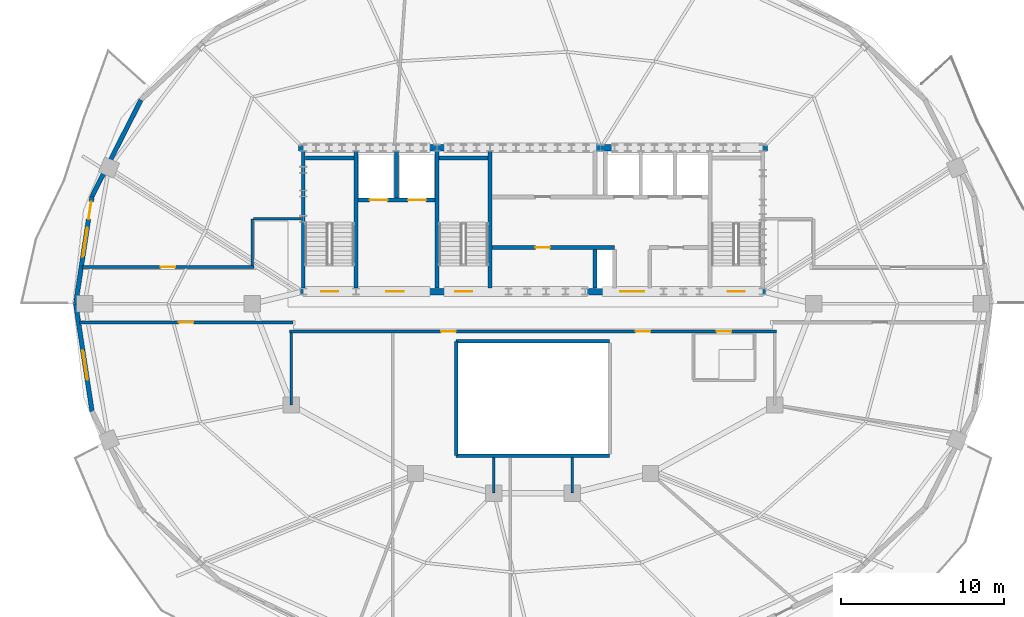
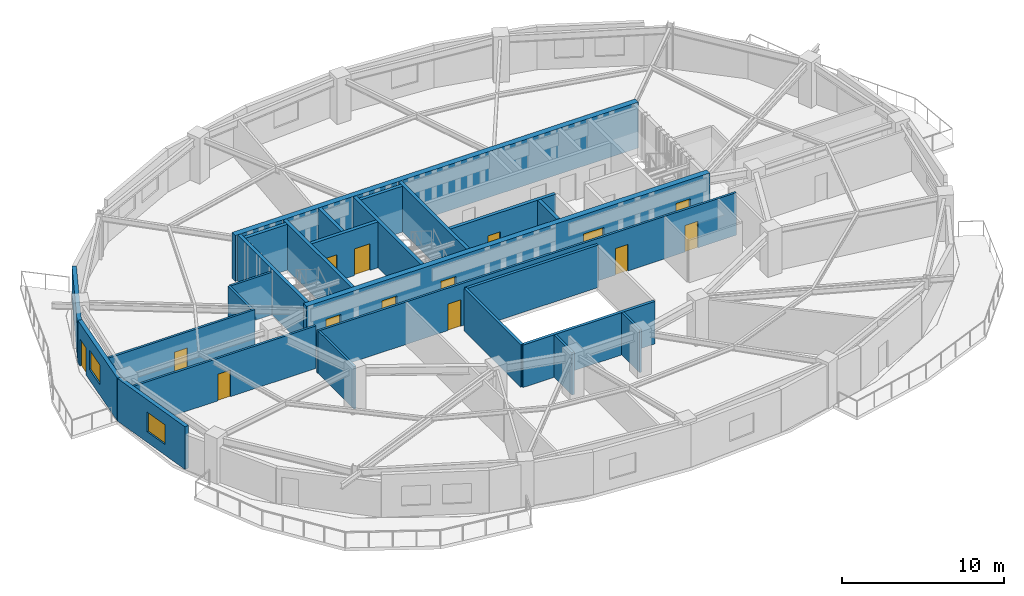
# One storey, part 4 of 11: 26 walls, 14 doors, 2 windows, 16 openings.
"""IFC4 building model written with IfcOpenShell, lengths in metres."""

from ifc_helpers import new_model, si_unit, direction, frame, frame_2d, origin, place, context, subcontext, project, spatial, rectangle, extrude, material, layer, layer_set, type_object, element, fill, save


model = new_model("IFC4")

# Units and contexts
model_context = context("Model", 3, precision=1e-05, world=origin(), true_north=direction((0.0, 1.0)))
body_context = subcontext(model_context, "Body", "Model", "MODEL_VIEW")
ifc_project = project(units=[si_unit("LENGTHUNIT", "METRE"), si_unit("AREAUNIT", "SQUARE_METRE"), si_unit("VOLUMEUNIT", "CUBIC_METRE"), si_unit("PLANEANGLEUNIT", "RADIAN"), si_unit("MASSUNIT", "GRAM", prefix="KILO")], contexts=[model_context])

# Site, building, storey
site_placement = place(None, origin())
site = spatial("IfcSite", under=ifc_project, at=site_placement, CompositionType="ELEMENT")
building_placement = place(site_placement, origin())
building = spatial("IfcBuilding", under=site, at=building_placement, Name="Haldorwick Loom Tower", CompositionType="ELEMENT")
storey_placement = place(building_placement, frame((0.0, 0.0, 227.10009765625)))
storey = spatial("IfcBuildingStorey", under=building, at=storey_placement, Name="L61", CompositionType="ELEMENT", Elevation=227.10009765625)

# Wall
ifc_material_1 = material(Name="Pressed Clay Face Brick and Insulated Masonry Backup Assembly", Category="masonry")
ifc_layer_1 = layer(ifc_material_1, 0.280029296875, Name="Pressed Clay Face Brick and Insulated Masonry Backup Assembly", Category="masonry")
ifc_layer_set_1 = layer_set([ifc_layer_1], Name="Pressed Clay Face Brick and Insulated Masonry Backup Assembly")
wall_type_1 = type_object("IfcWallType", Name="ARC-WL-EXT280", PredefinedType="STANDARD", material=ifc_layer_set_1)
wall_1_placement = place(storey_placement, frame((11.994384765625, 38.4853515625, 0.0), z_axis=(0.0, 0.0, 1.0), x_axis=(-0.453032066879, -0.89149422117, 0.0)))
element("IfcWall", 1, at=wall_1_placement, inside=storey, type_object=wall_type_1, Name="L61 Brick Pier and Spandrel Wall 11", PredefinedType="STANDARD", context=body_context, shape_type="SweptSolid", body=[
    extrude(rectangle(XDim=6.618896484375, YDim=0.280029296875, at=frame_2d((3.3095703125, 0.0))), origin(), (0.0, 0.0, 1.0), 2.640869140625),
])

# Wall, openings, door, window
wall_2_placement = place(storey_placement, frame((8.995849609375, 32.584716796875, 0.0), z_axis=(0.0, 0.0, 1.0), x_axis=(-0.150467697578, -0.988614926038, 0.0)))
wall_2 = element("IfcWall", 2, at=wall_2_placement, inside=storey, type_object=wall_type_1, Name="L61 Brick Pier and Spandrel Wall 12", PredefinedType="STANDARD", context=body_context, shape_type="SweptSolid", body=[
    extrude(rectangle(XDim=6.66064453125, YDim=0.280029296875, at=frame_2d((3.330322265625, 0.0))), origin(), (0.0, 0.0, 1.0), 3.2099609375),
])
opening_1_placement = place(wall_2_placement, frame((0.340087890625, 0.0, 0.0)))
opening_1 = element("IfcOpeningElement", 3, at=opening_1_placement, cuts=wall_2, Name="Opening D-BL11", PredefinedType="OPENING", context=body_context, shape_type="SweptSolid", body=[
    extrude(rectangle(XDim=1.080078125, YDim=2.0400390625, at=frame_2d((0.5400390625, 1.02001953125))), frame((0.0, 0.14990234375, 0.0), z_axis=(0.0, -1.0, 0.0), x_axis=(1.0, 0.0, 0.0)), (0.0, 0.0, 1.0), 0.300048828125),
])
opening_2_placement = place(wall_2_placement, frame((1.952392578125, 0.0, 0.800048828125)))
opening_2 = element("IfcOpeningElement", 4, at=opening_2_placement, cuts=wall_2, Name="Opening W-01", PredefinedType="OPENING", context=body_context, shape_type="SweptSolid", body=[
    extrude(rectangle(XDim=1.800048828125, YDim=1.47998046875, at=frame_2d((0.89990234375, 0.739990234375))), frame((0.0, 0.14990234375, 0.0), z_axis=(0.0, -1.0, 0.0), x_axis=(1.0, 0.0, 0.0)), (0.0, 0.0, 1.0), 0.300048828125),
])
ifc_material_2 = material(Name="Thermally Broken Anodized Aluminium Curtain Wall Framing", Category="aluminium")
door_type_1 = type_object("IfcDoorType", Name="ARC-DR-BAL110", OperationType="NOTDEFINED", PredefinedType="DOOR", material=ifc_material_2)
door_1_placement = place(opening_1_placement, origin())
door_1 = element("IfcDoor", 5, at=door_1_placement, inside=storey, type_object=door_type_1, Name="L61 Outdoor Terrace Door SLB-L61-BAL_WNW", OperationType="SINGLE_SWING_RIGHT", OverallHeight=2.0400390625, OverallWidth=1.080078125, PredefinedType="DOOR", context=body_context, shape_type="SweptSolid", body=[
    extrude(rectangle(XDim=1.080078125, YDim=2.0400390625, at=frame_2d((0.5400390625, 1.02001953125))), frame((0.0, 0.02490234375, 0.0), z_axis=(0.0, -1.0, 0.0), x_axis=(1.0, 0.0, 0.0)), (0.0, 0.0, 1.0), 0.050048828125),
])
fill(opening_1, door_1)
ifc_material_3 = material(Name="Triple-Glazed Low-E Argon Insulated Glazing Unit", Category="glass")
window_type = type_object("IfcWindowType", Name="ARC-WIN-W180", PartitioningType="SINGLE_PANEL", PredefinedType="WINDOW", material=ifc_material_3)
window_1_placement = place(opening_2_placement, origin())
window_1 = element("IfcWindow", 6, at=window_1_placement, inside=storey, type_object=window_type, Name="L61 Deep-Set Zone 7A Window 12", OverallHeight=1.47998046875, OverallWidth=1.800048828125, PartitioningType="SINGLE_PANEL", PredefinedType="WINDOW", context=body_context, shape_type="SweptSolid", body=[
    extrude(rectangle(XDim=1.800048828125, YDim=1.47998046875, at=frame_2d((0.89990234375, 0.739990234375))), frame((0.0, 0.030029296875, 0.0), z_axis=(0.0, -1.0, 0.0), x_axis=(1.0, 0.0, 0.0)), (0.0, 0.0, 1.0), 0.06005859375),
])
fill(opening_2, window_1)

# Wall, opening, window
wall_3_placement = place(storey_placement, frame((7.99365234375, 26.0, 0.0), z_axis=(0.0, 0.0, 1.0), x_axis=(0.150467697578, -0.988614926038, 0.0)))
wall_3 = element("IfcWall", 7, at=wall_3_placement, inside=storey, type_object=wall_type_1, Name="L61 Brick Pier and Spandrel Wall 13", PredefinedType="STANDARD", context=body_context, shape_type="SweptSolid", body=[
    extrude(rectangle(XDim=6.66064453125, YDim=0.280029296875, at=frame_2d((3.330322265625, 0.0))), origin(), (0.0, 0.0, 1.0), 3.2099609375),
])
opening_3_placement = place(wall_3_placement, frame((2.907958984375, 0.0, 0.800048828125)))
opening_3 = element("IfcOpeningElement", 8, at=opening_3_placement, cuts=wall_3, Name="Opening W-01", PredefinedType="OPENING", context=body_context, shape_type="SweptSolid", body=[
    extrude(rectangle(XDim=1.800048828125, YDim=1.47998046875, at=frame_2d((0.89990234375, 0.739990234375))), frame((0.0, 0.14990234375, 0.0), z_axis=(0.0, -1.0, 0.0), x_axis=(1.0, 0.0, 0.0)), (0.0, 0.0, 1.0), 0.300048828125),
])
window_2_placement = place(opening_3_placement, origin())
window_2 = element("IfcWindow", 9, at=window_2_placement, inside=storey, type_object=window_type, Name="L61 Deep-Set Zone 7A Window 13", OverallHeight=1.47998046875, OverallWidth=1.800048828125, PartitioningType="SINGLE_PANEL", PredefinedType="WINDOW", context=body_context, shape_type="SweptSolid", body=[
    extrude(rectangle(XDim=1.800048828125, YDim=1.47998046875, at=frame_2d((0.89990234375, 0.739990234375))), frame((0.0, 0.030029296875, 0.0), z_axis=(0.0, -1.0, 0.0), x_axis=(1.0, 0.0, 0.0)), (0.0, 0.0, 1.0), 0.06005859375),
])
fill(opening_3, window_2)

# Wall, openings, doors
ifc_material_4 = material(Name="Fire-Rated Type X Gypsum Stud Assembly EI 60")
ifc_layer_2 = layer(ifc_material_4, 0.159912109375, Name="Fire-Rated Type X Gypsum Stud Assembly EI 60")
ifc_layer_set_2 = layer_set([ifc_layer_2], Name="Fire-Rated Type X Gypsum Stud Assembly EI 60")
wall_type_2 = type_object("IfcWallType", Name="ARC-WL-FIRE160", PredefinedType="PARTITIONING", material=ifc_layer_set_2)
wall_4_placement = place(storey_placement, frame((21.10009765625, 24.300048828125, 0.0), z_axis=(0.0, 0.0, 1.0), x_axis=(1.0, 0.0, 0.0)))
wall_4 = element("IfcWall", 10, at=wall_4_placement, inside=storey, type_object=wall_type_2, Name="L61 Residential Fire Partition L61-CR-SP", PredefinedType="PARTITIONING", context=body_context, shape_type="SweptSolid", body=[
    extrude(rectangle(XDim=29.7998046875, YDim=0.159912109375, at=frame_2d((14.89990234375, 0.0))), origin(), (0.0, 0.0, 1.0), 3.19482421875),
])
opening_4_placement = place(wall_4_placement, frame((21.1826171875, 0.0, 0.0)))
opening_4 = element("IfcOpeningElement", 11, at=opening_4_placement, cuts=wall_4, Name="Opening D-FD60A", PredefinedType="OPENING", context=body_context, shape_type="SweptSolid", body=[
    extrude(rectangle(XDim=0.89990234375, YDim=2.0, at=frame_2d((0.449951171875, 1.0))), frame((0.0, 0.08984375, 0.0), z_axis=(0.0, -1.0, 0.0), x_axis=(1.0, 0.0, 0.0)), (0.0, 0.0, 1.0), 0.179931640625),
])
opening_5_placement = place(wall_4_placement, frame((9.272705078125, 0.0, 0.0)))
opening_5 = element("IfcOpeningElement", 12, at=opening_5_placement, cuts=wall_4, Name="Opening D-FD60A", PredefinedType="OPENING", context=body_context, shape_type="SweptSolid", body=[
    extrude(rectangle(XDim=0.89990234375, YDim=2.0, at=frame_2d((0.449951171875, 1.0))), frame((0.0, 0.08984375, 0.0), z_axis=(0.0, -1.0, 0.0), x_axis=(1.0, 0.0, 0.0)), (0.0, 0.0, 1.0), 0.179931640625),
])
opening_6_placement = place(wall_4_placement, frame((26.1494140625, 0.0, 0.0)))
opening_6 = element("IfcOpeningElement", 13, at=opening_6_placement, cuts=wall_4, Name="Opening D-FD60A", PredefinedType="OPENING", context=body_context, shape_type="SweptSolid", body=[
    extrude(rectangle(XDim=0.89990234375, YDim=2.0, at=frame_2d((0.449951171875, 1.0))), frame((0.0, 0.08984375, 0.0), z_axis=(0.0, -1.0, 0.0), x_axis=(1.0, 0.0, 0.0)), (0.0, 0.0, 1.0), 0.179931640625),
])
ifc_material_5 = material(Name="Hollow Steel Fire Door Assembly", Category="steel")
door_type_2 = type_object("IfcDoorType", Name="ARC-DR-FD60-90", OperationType="NOTDEFINED", PredefinedType="DOOR", material=ifc_material_5)
door_2_placement = place(opening_4_placement, origin())
door_2 = element("IfcDoor", 14, at=door_2_placement, inside=storey, type_object=door_type_2, Name="L61 L61 Central Residential Corridor to Community Library Hall 2 Door", OperationType="SINGLE_SWING_RIGHT", OverallHeight=2.0, OverallWidth=0.89990234375, PredefinedType="DOOR", context=body_context, shape_type="SweptSolid", body=[
    extrude(rectangle(XDim=0.89990234375, YDim=2.0, at=frame_2d((0.449951171875, 1.0))), frame((0.0, 0.02490234375, 0.0), z_axis=(0.0, -1.0, 0.0), x_axis=(1.0, 0.0, 0.0)), (0.0, 0.0, 1.0), 0.050048828125),
])
fill(opening_4, door_2)
door_3_placement = place(opening_5_placement, origin())
door_3 = element("IfcDoor", 15, at=door_3_placement, inside=storey, type_object=door_type_2, Name="L61 L61 Central Residential Corridor to Community Library Hall 1 Door", OperationType="SINGLE_SWING_LEFT", OverallHeight=2.0, OverallWidth=0.89990234375, PredefinedType="DOOR", context=body_context, shape_type="SweptSolid", body=[
    extrude(rectangle(XDim=0.89990234375, YDim=2.0, at=frame_2d((0.449951171875, 1.0))), frame((0.0, 0.02490234375, 0.0), z_axis=(0.0, -1.0, 0.0), x_axis=(1.0, 0.0, 0.0)), (0.0, 0.0, 1.0), 0.050048828125),
])
fill(opening_5, door_3)
door_4_placement = place(opening_6_placement, origin())
door_4 = element("IfcDoor", 16, at=door_4_placement, inside=storey, type_object=door_type_2, Name="L61 L61 Central Residential Corridor to Common Accessible WC Door", OperationType="SINGLE_SWING_RIGHT", OverallHeight=2.0, OverallWidth=0.89990234375, PredefinedType="DOOR", context=body_context, shape_type="SweptSolid", body=[
    extrude(rectangle(XDim=0.89990234375, YDim=2.0, at=frame_2d((0.449951171875, 1.0))), frame((0.0, 0.02490234375, 0.0), z_axis=(0.0, -1.0, 0.0), x_axis=(1.0, 0.0, 0.0)), (0.0, 0.0, 1.0), 0.050048828125),
])
fill(opening_6, door_4)

# Wall, opening, door
wall_5_placement = place(storey_placement, frame((8.214111328125, 24.85009765625, 0.0), z_axis=(0.0, 0.0, 1.0), x_axis=(1.0, 0.0, 0.0)))
wall_5 = element("IfcWall", 17, at=wall_5_placement, inside=storey, type_object=wall_type_2, Name="L61 Residential Fire Partition L61-CR-SPW", PredefinedType="PARTITIONING", context=body_context, shape_type="SweptSolid", body=[
    extrude(rectangle(XDim=13.0859375, YDim=0.159912109375, at=frame_2d((6.54296875, 0.0))), origin(), (0.0, 0.0, 1.0), 3.19482421875),
])
opening_7_placement = place(wall_5_placement, frame((6.093017578125, 0.0, 0.0)))
opening_7 = element("IfcOpeningElement", 18, at=opening_7_placement, cuts=wall_5, Name="Opening D-FD60A", PredefinedType="OPENING", context=body_context, shape_type="SweptSolid", body=[
    extrude(rectangle(XDim=0.89990234375, YDim=2.0, at=frame_2d((0.449951171875, 1.0))), frame((0.0, 0.08984375, 0.0), z_axis=(0.0, -1.0, 0.0), x_axis=(1.0, 0.0, 0.0)), (0.0, 0.0, 1.0), 0.179931640625),
])
door_5_placement = place(opening_7_placement, origin())
door_5 = element("IfcDoor", 19, at=door_5_placement, inside=storey, type_object=door_type_2, Name="L61 L61 Central Residential Corridor to Community Library Hall 3 Door", OperationType="SINGLE_SWING_LEFT", OverallHeight=2.0, OverallWidth=0.89990234375, PredefinedType="DOOR", context=body_context, shape_type="SweptSolid", body=[
    extrude(rectangle(XDim=0.89990234375, YDim=2.0, at=frame_2d((0.449951171875, 1.0))), frame((0.0, 0.02490234375, 0.0), z_axis=(0.0, -1.0, 0.0), x_axis=(1.0, 0.0, 0.0)), (0.0, 0.0, 1.0), 0.050048828125),
])
fill(opening_7, door_5)

wall_6_placement = place(storey_placement, frame((8.381591796875, 28.25, 0.0), z_axis=(0.0, 0.0, 1.0), x_axis=(1.0, 0.0, 0.0)))
wall_6 = element("IfcWall", 20, at=wall_6_placement, inside=storey, type_object=wall_type_2, Name="L61 Residential Fire Partition L61-CR-NWL", PredefinedType="PARTITIONING", context=body_context, shape_type="SweptSolid", body=[
    extrude(rectangle(XDim=10.518310546875, YDim=0.159912109375, at=frame_2d((5.25927734375, 0.0))), origin(), (0.0, 0.0, 1.0), 3.19482421875),
])
opening_8_placement = place(wall_6_placement, frame((4.80908203125, 0.0, 0.0)))
opening_8 = element("IfcOpeningElement", 21, at=opening_8_placement, cuts=wall_6, Name="Opening D-FD60A", PredefinedType="OPENING", context=body_context, shape_type="SweptSolid", body=[
    extrude(rectangle(XDim=0.89990234375, YDim=2.0, at=frame_2d((0.449951171875, 1.0))), frame((0.0, 0.08984375, 0.0), z_axis=(0.0, -1.0, 0.0), x_axis=(1.0, 0.0, 0.0)), (0.0, 0.0, 1.0), 0.179931640625),
])
door_6_placement = place(opening_8_placement, frame((0.89990234375, 0.0, 0.0), z_axis=(0.0, 0.0, 1.0), x_axis=(-1.0, 0.0, 0.0)))
door_6 = element("IfcDoor", 22, at=door_6_placement, inside=storey, type_object=door_type_2, Name="L61 Community Library Hall 5 to L61 Central Residential Corridor Door", OperationType="SINGLE_SWING_RIGHT", OverallHeight=2.0, OverallWidth=0.89990234375, PredefinedType="DOOR", context=body_context, shape_type="SweptSolid", body=[
    extrude(rectangle(XDim=0.89990234375, YDim=2.0, at=frame_2d((0.449951171875, 1.0))), frame((0.0, 0.02490234375, 0.0), z_axis=(0.0, -1.0, 0.0), x_axis=(1.0, 0.0, 0.0)), (0.0, 0.0, 1.0), 0.050048828125),
])
fill(opening_8, door_6)

# Walls
wall_7_placement = place(storey_placement, frame((18.800048828125, 28.3330078125, 0.0), z_axis=(0.0, 0.0, 1.0), x_axis=(0.0, 1.0, 0.0)))
element("IfcWall", 23, at=wall_7_placement, inside=storey, type_object=wall_type_2, Name="L61 Residential Fire Partition L61-CR-W0", PredefinedType="PARTITIONING", context=body_context, shape_type="SweptSolid", body=[
    extrude(rectangle(XDim=2.866943359375, YDim=0.159912109375, at=frame_2d((1.43359375, 0.0))), origin(), (0.0, 0.0, 1.0), 3.19482421875),
])
wall_8_placement = place(storey_placement, frame((18.883056640625, 31.199951171875, 0.0), z_axis=(0.0, 0.0, 1.0), x_axis=(1.0, 0.0, 0.0)))
element("IfcWall", 24, at=wall_8_placement, inside=storey, type_object=wall_type_2, Name="L61 Residential Fire Partition L61-CR-WNJ", PredefinedType="PARTITIONING", context=body_context, shape_type="SweptSolid", body=[
    extrude(rectangle(XDim=2.923828125, YDim=0.159912109375, at=frame_2d((1.4619140625, 0.0))), origin(), (0.0, 0.0, 1.0), 3.19482421875),
])
for number, where, z_axis, x_axis, name in (
    (25, (38.39990234375, 16.596923828125, 0.0), (0.0, 0.0, 1.0), (0.0, -1.0, 0.0), "L61 Residential Fire Partition L61-ICA-05"),
    (26, (33.60009765625, 16.596923828125, 0.0), (0.0, 0.0, 1.0), (0.0, -1.0, 0.0), "L61 Residential Fire Partition L61-ICA-06"),
):
    element("IfcWall", number, at=place(storey_placement, frame(where, z_axis=z_axis, x_axis=x_axis)), inside=storey, type_object=wall_type_2, Name=name, PredefinedType="PARTITIONING", context=body_context, shape_type="SweptSolid", body=[
        extrude(rectangle(XDim=2.197021484375, YDim=0.159912109375, at=frame_2d((1.0986328125, 0.0))), origin(), (0.0, 0.0, 1.0), 3.19482421875),
    ])
wall_9_placement = place(storey_placement, frame((21.199951171875, 24.217041015625, 0.0), z_axis=(0.0, 0.0, 1.0), x_axis=(0.0, -1.0, 0.0)))
element("IfcWall", 27, at=wall_9_placement, inside=storey, type_object=wall_type_2, Name="L61 Residential Fire Partition L61-ICA-09", PredefinedType="PARTITIONING", context=body_context, shape_type="SweptSolid", body=[
    extrude(rectangle(XDim=4.4169921875, YDim=0.159912109375, at=frame_2d((2.20849609375, 0.0))), origin(), (0.0, 0.0, 1.0), 3.19482421875),
])
ifc_material_6 = material(Name="Fire-Rated Type X Gypsum Stud Assembly EI 120")
ifc_layer_3 = layer(ifc_material_6, 0.199951171875, Name="Fire-Rated Type X Gypsum Stud Assembly EI 120")
ifc_layer_set_3 = layer_set([ifc_layer_3], Name="Fire-Rated Type X Gypsum Stud Assembly EI 120")
wall_type_3 = type_object("IfcWallType", Name="ARC-WL-FIRE200", PredefinedType="PARTITIONING", material=ifc_layer_set_3)
for number, where, z_axis, x_axis, name in (
    (28, (31.300048828125, 23.699951171875, 0.0), (0.0, 0.0, 1.0), (1.0, 0.0, 0.0), "L61 Atrium Fire Enclosure Wall N"),
    (29, (40.699951171875, 16.699951171875, 0.0), (0.0, 0.0, 1.0), (-1.0, 0.0, 0.0), "L61 Atrium Fire Enclosure Wall S"),
):
    element("IfcWall", number, at=place(storey_placement, frame(where, z_axis=z_axis, x_axis=x_axis)), inside=storey, type_object=wall_type_3, Name=name, PredefinedType="PARTITIONING", context=body_context, shape_type="SweptSolid", body=[
        extrude(rectangle(XDim=9.39990234375, YDim=0.199951171875, at=frame_2d((4.699951171875, 0.0))), origin(), (0.0, 0.0, 1.0), 3.19482421875),
    ])
wall_10_placement = place(storey_placement, frame((31.300048828125, 16.699951171875, 0.0), z_axis=(0.0, 0.0, 1.0), x_axis=(0.0, 1.0, 0.0)))
element("IfcWall", 30, at=wall_10_placement, inside=storey, type_object=wall_type_3, Name="L61 Atrium Fire Enclosure Wall W", PredefinedType="PARTITIONING", context=body_context, shape_type="SweptSolid", body=[
    extrude(rectangle(XDim=7.0, YDim=0.199951171875, at=frame_2d((3.5, 0.0))), origin(), (0.0, 0.0, 1.0), 3.19482421875),
])

# Wall, openings, doors
ifc_material_7 = material(Name="Concrete C50 (50 MPa)", Category="concrete")
ifc_layer_4 = layer(ifc_material_7, 0.39990234375, Name="Concrete C50 (50 MPa)", Category="concrete")
ifc_layer_set_4 = layer_set([ifc_layer_4], Name="Concrete C50 (50 MPa)")
wall_type_4 = type_object("IfcWallType", Name="STR-WL-CORE400", PredefinedType="SHEAR", material=ifc_layer_set_4)
wall_11_placement = place(storey_placement, frame((21.64990234375, 26.75, 0.0), z_axis=(0.0, 0.0, 1.0), x_axis=(1.0, 0.0, 0.0)))
wall_11 = element("IfcWall", 31, at=wall_11_placement, inside=storey, type_object=wall_type_4, Name="L61 Core Shear Wall S", PredefinedType="SHEAR", context=body_context, shape_type="SweptSolid", body=[
    extrude(rectangle(XDim=28.7001953125, YDim=0.39990234375, at=frame_2d((14.35009765625, 0.0))), origin(), (0.0, 0.0, 1.0), 3.449951171875),
])
opening_9_placement = place(wall_11_placement, frame((1.375, 0.0, 0.0)))
opening_9 = element("IfcOpeningElement", 32, at=opening_9_placement, cuts=wall_11, Name="Opening D-FD60", PredefinedType="OPENING", context=body_context, shape_type="SweptSolid", body=[
    extrude(rectangle(XDim=1.050048828125, YDim=2.0, at=frame_2d((0.52490234375, 1.0))), frame((0.0, 0.2099609375, 0.0), z_axis=(0.0, -1.0, 0.0), x_axis=(1.0, 0.0, 0.0)), (0.0, 0.0, 1.0), 0.419921875),
])
opening_10_placement = place(wall_11_placement, frame((5.375, 0.0, 0.0)))
opening_10 = element("IfcOpeningElement", 33, at=opening_10_placement, cuts=wall_11, Name="Opening D-FD60", PredefinedType="OPENING", context=body_context, shape_type="SweptSolid", body=[
    extrude(rectangle(XDim=1.050048828125, YDim=2.0, at=frame_2d((0.52490234375, 1.0))), frame((0.0, 0.2099609375, 0.0), z_axis=(0.0, -1.0, 0.0), x_axis=(1.0, 0.0, 0.0)), (0.0, 0.0, 1.0), 0.419921875),
])
opening_11_placement = place(wall_11_placement, frame((9.574951171875, 0.0, 0.0)))
opening_11 = element("IfcOpeningElement", 34, at=opening_11_placement, cuts=wall_11, Name="Opening D-FD60", PredefinedType="OPENING", context=body_context, shape_type="SweptSolid", body=[
    extrude(rectangle(XDim=1.050048828125, YDim=2.0, at=frame_2d((0.52490234375, 1.0))), frame((0.0, 0.2099609375, 0.0), z_axis=(0.0, -1.0, 0.0), x_axis=(1.0, 0.0, 0.0)), (0.0, 0.0, 1.0), 0.419921875),
])
opening_12_placement = place(wall_11_placement, frame((19.705078125, 0.0, 0.0)))
opening_12 = element("IfcOpeningElement", 35, at=opening_12_placement, cuts=wall_11, Name="Opening D-LB15", PredefinedType="OPENING", context=body_context, shape_type="SweptSolid", body=[
    extrude(rectangle(XDim=1.449951171875, YDim=2.0, at=frame_2d((0.72509765625, 1.0))), frame((0.0, 0.2099609375, 0.0), z_axis=(0.0, -1.0, 0.0), x_axis=(1.0, 0.0, 0.0)), (0.0, 0.0, 1.0), 0.419921875),
])
opening_13_placement = place(wall_11_placement, frame((26.27490234375, 0.0, 0.0)))
opening_13 = element("IfcOpeningElement", 36, at=opening_13_placement, cuts=wall_11, Name="Opening D-FD60", PredefinedType="OPENING", context=body_context, shape_type="SweptSolid", body=[
    extrude(rectangle(XDim=1.050048828125, YDim=2.0, at=frame_2d((0.52490234375, 1.0))), frame((0.0, 0.2099609375, 0.0), z_axis=(0.0, -1.0, 0.0), x_axis=(1.0, 0.0, 0.0)), (0.0, 0.0, 1.0), 0.419921875),
])
door_type_3 = type_object("IfcDoorType", Name="ARC-DR-FD60", OperationType="NOTDEFINED", PredefinedType="DOOR", material=ifc_material_5)
door_7_placement = place(opening_9_placement, origin())
door_7 = element("IfcDoor", 37, at=door_7_placement, inside=storey, type_object=door_type_3, Name="L61 Exit Stair ST-01 Fire Door", OperationType="SINGLE_SWING_LEFT", OverallHeight=2.0, OverallWidth=1.050048828125, PredefinedType="DOOR", context=body_context, shape_type="SweptSolid", body=[
    extrude(rectangle(XDim=1.050048828125, YDim=2.0, at=frame_2d((0.52490234375, 1.0))), frame((0.0, 0.02490234375, 0.0), z_axis=(0.0, -1.0, 0.0), x_axis=(1.0, 0.0, 0.0)), (0.0, 0.0, 1.0), 0.050048828125),
])
fill(opening_9, door_7)
door_8_placement = place(opening_10_placement, origin())
door_8 = element("IfcDoor", 38, at=door_8_placement, inside=storey, type_object=door_type_3, Name="L61 Firefighting Lift Lobby Fire Door", OperationType="SINGLE_SWING_RIGHT", OverallHeight=2.0, OverallWidth=1.050048828125, PredefinedType="DOOR", context=body_context, shape_type="SweptSolid", body=[
    extrude(rectangle(XDim=1.050048828125, YDim=2.0, at=frame_2d((0.52490234375, 1.0))), frame((0.0, 0.02490234375, 0.0), z_axis=(0.0, -1.0, 0.0), x_axis=(1.0, 0.0, 0.0)), (0.0, 0.0, 1.0), 0.050048828125),
])
fill(opening_10, door_8)
door_9_placement = place(opening_11_placement, origin())
door_9 = element("IfcDoor", 39, at=door_9_placement, inside=storey, type_object=door_type_3, Name="L61 Exit Stair ST-03 Fire Door", OperationType="SINGLE_SWING_LEFT", OverallHeight=2.0, OverallWidth=1.050048828125, PredefinedType="DOOR", context=body_context, shape_type="SweptSolid", body=[
    extrude(rectangle(XDim=1.050048828125, YDim=2.0, at=frame_2d((0.52490234375, 1.0))), frame((0.0, 0.02490234375, 0.0), z_axis=(0.0, -1.0, 0.0), x_axis=(1.0, 0.0, 0.0)), (0.0, 0.0, 1.0), 0.050048828125),
])
fill(opening_11, door_9)
door_10_placement = place(opening_13_placement, origin())
door_10 = element("IfcDoor", 40, at=door_10_placement, inside=storey, type_object=door_type_3, Name="L61 Exit Stair ST-02 Fire Door", OperationType="SINGLE_SWING_LEFT", OverallHeight=2.0, OverallWidth=1.050048828125, PredefinedType="DOOR", context=body_context, shape_type="SweptSolid", body=[
    extrude(rectangle(XDim=1.050048828125, YDim=2.0, at=frame_2d((0.52490234375, 1.0))), frame((0.0, 0.02490234375, 0.0), z_axis=(0.0, -1.0, 0.0), x_axis=(1.0, 0.0, 0.0)), (0.0, 0.0, 1.0), 0.050048828125),
])
fill(opening_13, door_10)
ifc_material_8 = material(Name="Thermally Broken Anodized Aluminium and Tempered Glass", Category="aluminium")
door_type_4 = type_object("IfcDoorType", Name="ARC-DR-LOB150", OperationType="NOTDEFINED", PredefinedType="DOOR", material=ifc_material_8)
door_11_placement = place(opening_12_placement, frame((1.449951171875, 0.0, 0.0), z_axis=(0.0, 0.0, 1.0), x_axis=(-1.0, 0.0, 0.0)))
door_11 = element("IfcDoor", 41, at=door_11_placement, inside=storey, type_object=door_type_4, Name="L61 Passenger Lift Lobby Fire Door", OperationType="DOUBLE_DOOR_SINGLE_SWING", OverallHeight=2.0, OverallWidth=1.449951171875, PredefinedType="DOOR", context=body_context, shape_type="SweptSolid", body=[
    extrude(rectangle(XDim=1.449951171875, YDim=2.0, at=frame_2d((0.72509765625, 1.0))), frame((0.0, 0.02490234375, 0.0), z_axis=(0.0, -1.0, 0.0), x_axis=(1.0, 0.0, 0.0)), (0.0, 0.0, 1.0), 0.050048828125),
])
fill(opening_12, door_11)

# Walls
wall_12_placement = place(storey_placement, frame((50.35009765625, 35.550048828125, 0.0), z_axis=(0.0, 0.0, 1.0), x_axis=(-1.0, 0.0, 0.0)))
element("IfcWall", 42, at=wall_12_placement, inside=storey, type_object=wall_type_4, Name="L61 Core Shear Wall N", PredefinedType="SHEAR", context=body_context, shape_type="SweptSolid", body=[
    extrude(rectangle(XDim=28.7001953125, YDim=0.39990234375, at=frame_2d((14.35009765625, 0.0))), origin(), (0.0, 0.0, 1.0), 3.449951171875),
])
ifc_layer_5 = layer(ifc_material_7, 0.239990234375, Name="Concrete C50 (50 MPa)", Category="concrete")
ifc_layer_set_5 = layer_set([ifc_layer_5], Name="Concrete C50 (50 MPa)")
wall_type_5 = type_object("IfcWallType", Name="STR-WL-SHAFT240", PredefinedType="SHEAR", material=ifc_layer_set_5)
for number, where, z_axis, x_axis, name in (
    (43, (21.929931640625, 35.346923828125, 0.0), (0.0, 0.0, 1.0), (0.0, -1.0, 0.0), "L61 Core Shear Wall W"),
    (44, (25.169921875, 26.952880859375, 0.0), (0.0, 0.0, 1.0), (0.0, 1.0, 0.0), "L61 Core Shear Wall 1"),
):
    element("IfcWall", number, at=place(storey_placement, frame(where, z_axis=z_axis, x_axis=x_axis)), inside=storey, type_object=wall_type_5, Name=name, PredefinedType="SHEAR", context=body_context, shape_type="SweptSolid", body=[
        extrude(rectangle(XDim=8.39404296875, YDim=0.239990234375, at=frame_2d((4.197021484375, 0.0))), origin(), (0.0, 0.0, 1.0), 3.449951171875),
    ])
wall_13_placement = place(storey_placement, frame((22.052978515625, 34.919921875, 0.0), z_axis=(0.0, 0.0, 1.0), x_axis=(1.0, 0.0, 0.0)))
element("IfcWall", 45, at=wall_13_placement, inside=storey, type_object=wall_type_5, Name="L61 Core Shear Wall 1N", PredefinedType="SHEAR", context=body_context, shape_type="SweptSolid", body=[
    extrude(rectangle(XDim=2.994140625, YDim=0.239990234375, at=frame_2d((1.4970703125, 0.0))), origin(), (0.0, 0.0, 1.0), 3.449951171875),
])
for number, where, z_axis, x_axis, name in (
    (46, (30.1298828125, 26.952880859375, 0.0), (0.0, 0.0, 1.0), (0.0, 1.0, 0.0), "L61 Core Shear Wall 2"),
    (47, (33.3701171875, 26.952880859375, 0.0), (0.0, 0.0, 1.0), (0.0, 1.0, 0.0), "L61 Core Shear Wall 3"),
):
    element("IfcWall", number, at=place(storey_placement, frame(where, z_axis=z_axis, x_axis=x_axis)), inside=storey, type_object=wall_type_5, Name=name, PredefinedType="SHEAR", context=body_context, shape_type="SweptSolid", body=[
        extrude(rectangle(XDim=8.39404296875, YDim=0.239990234375, at=frame_2d((4.197021484375, 0.0))), origin(), (0.0, 0.0, 1.0), 3.449951171875),
    ])
wall_14_placement = place(storey_placement, frame((30.2529296875, 34.919921875, 0.0), z_axis=(0.0, 0.0, 1.0), x_axis=(1.0, 0.0, 0.0)))
element("IfcWall", 48, at=wall_14_placement, inside=storey, type_object=wall_type_5, Name="L61 Core Shear Wall 3N", PredefinedType="SHEAR", context=body_context, shape_type="SweptSolid", body=[
    extrude(rectangle(XDim=2.994140625, YDim=0.239990234375, at=frame_2d((1.4970703125, 0.0))), origin(), (0.0, 0.0, 1.0), 3.449951171875),
])

# Wall, openings, doors
wall_15_placement = place(storey_placement, frame((25.29296875, 32.35009765625, 0.0), z_axis=(0.0, 0.0, 1.0), x_axis=(1.0, 0.0, 0.0)))
wall_15 = element("IfcWall", 49, at=wall_15_placement, inside=storey, type_object=wall_type_5, Name="L61 Core Shear Wall FF", PredefinedType="SHEAR", context=body_context, shape_type="SweptSolid", body=[
    extrude(rectangle(XDim=4.714111328125, YDim=0.239990234375, at=frame_2d((2.35693359375, 0.0))), origin(), (0.0, 0.0, 1.0), 3.449951171875),
])
opening_14_placement = place(wall_15_placement, frame((0.70703125, 0.0, 0.0)))
opening_14 = element("IfcOpeningElement", 50, at=opening_14_placement, cuts=wall_15, Name="Opening LD-FF1", PredefinedType="OPENING", context=body_context, shape_type="SweptSolid", body=[
    extrude(rectangle(XDim=1.10009765625, YDim=2.0, at=frame_2d((0.550048828125, 1.0))), frame((0.0, 0.1298828125, 0.0), z_axis=(0.0, -1.0, 0.0), x_axis=(1.0, 0.0, 0.0)), (0.0, 0.0, 1.0), 0.260009765625),
])
opening_15_placement = place(wall_15_placement, frame((3.056884765625, 0.0, 0.0)))
opening_15 = element("IfcOpeningElement", 51, at=opening_15_placement, cuts=wall_15, Name="Opening LD-FF2", PredefinedType="OPENING", context=body_context, shape_type="SweptSolid", body=[
    extrude(rectangle(XDim=1.10009765625, YDim=2.0, at=frame_2d((0.550048828125, 1.0))), frame((0.0, 0.1298828125, 0.0), z_axis=(0.0, -1.0, 0.0), x_axis=(1.0, 0.0, 0.0)), (0.0, 0.0, 1.0), 0.260009765625),
])
door_type_5 = type_object("IfcDoorType", Name="ARC-DR-LD-FF", OperationType="NOTDEFINED", PredefinedType="USERDEFINED", material=ifc_material_5)
door_12_placement = place(opening_14_placement, origin())
door_12 = element("IfcDoor", 52, at=door_12_placement, inside=storey, type_object=door_type_5, Name="L61 Lift LF-FF1 Sliding Landing Door", ObjectType="LANDING DOOR", OperationType="DOUBLE_DOOR_SLIDING", OverallHeight=2.0, OverallWidth=1.10009765625, PredefinedType="USERDEFINED", context=body_context, shape_type="SweptSolid", body=[
    extrude(rectangle(XDim=1.10009765625, YDim=2.0, at=frame_2d((0.550048828125, 1.0))), frame((0.0, 0.02490234375, 0.0), z_axis=(0.0, -1.0, 0.0), x_axis=(1.0, 0.0, 0.0)), (0.0, 0.0, 1.0), 0.050048828125),
])
fill(opening_14, door_12)
door_13_placement = place(opening_15_placement, origin())
door_13 = element("IfcDoor", 53, at=door_13_placement, inside=storey, type_object=door_type_5, Name="L61 Lift LF-FF2 Sliding Landing Door", ObjectType="LANDING DOOR", OperationType="DOUBLE_DOOR_SLIDING", OverallHeight=2.0, OverallWidth=1.10009765625, PredefinedType="USERDEFINED", context=body_context, shape_type="SweptSolid", body=[
    extrude(rectangle(XDim=1.10009765625, YDim=2.0, at=frame_2d((0.550048828125, 1.0))), frame((0.0, 0.02490234375, 0.0), z_axis=(0.0, -1.0, 0.0), x_axis=(1.0, 0.0, 0.0)), (0.0, 0.0, 1.0), 0.050048828125),
])
fill(opening_15, door_13)

# Wall
wall_16_placement = place(storey_placement, frame((27.64990234375, 32.472900390625, 0.0), z_axis=(0.0, 0.0, 1.0), x_axis=(0.0, 1.0, 0.0)))
element("IfcWall", 54, at=wall_16_placement, inside=storey, type_object=wall_type_5, Name="L61 Core Shear Wall FFD", PredefinedType="SHEAR", context=body_context, shape_type="SweptSolid", body=[
    extrude(rectangle(XDim=2.8740234375, YDim=0.239990234375, at=frame_2d((1.43701171875, 0.0))), origin(), (0.0, 0.0, 1.0), 3.449951171875),
])

# Wall, opening, door
wall_17_placement = place(storey_placement, frame((33.492919921875, 29.449951171875, 0.0), z_axis=(0.0, 0.0, 1.0), x_axis=(1.0, 0.0, 0.0)))
wall_17 = element("IfcWall", 55, at=wall_17_placement, inside=storey, type_object=wall_type_5, Name="L61 Core Shear Wall LS1", PredefinedType="SHEAR", context=body_context, shape_type="SweptSolid", body=[
    extrude(rectangle(XDim=7.507080078125, YDim=0.239990234375, at=frame_2d((3.75341796875, 0.0))), origin(), (0.0, 0.0, 1.0), 3.449951171875),
])
opening_16_placement = place(wall_17_placement, frame((2.656982421875, 0.0, 0.0)))
opening_16 = element("IfcOpeningElement", 56, at=opening_16_placement, cuts=wall_17, Name="Opening D-FD60A", PredefinedType="OPENING", context=body_context, shape_type="SweptSolid", body=[
    extrude(rectangle(XDim=0.89990234375, YDim=2.0, at=frame_2d((0.449951171875, 1.0))), frame((0.0, 0.1298828125, 0.0), z_axis=(0.0, -1.0, 0.0), x_axis=(1.0, 0.0, 0.0)), (0.0, 0.0, 1.0), 0.260009765625),
])
door_14_placement = place(opening_16_placement, origin())
door_14 = element("IfcDoor", 57, at=door_14_placement, inside=storey, type_object=door_type_2, Name="L61 Switch Room Door", OperationType="SINGLE_SWING_RIGHT", OverallHeight=2.0, OverallWidth=0.89990234375, PredefinedType="DOOR", context=body_context, shape_type="SweptSolid", body=[
    extrude(rectangle(XDim=0.89990234375, YDim=2.0, at=frame_2d((0.449951171875, 1.0))), frame((0.0, 0.02490234375, 0.0), z_axis=(0.0, -1.0, 0.0), x_axis=(1.0, 0.0, 0.0)), (0.0, 0.0, 1.0), 0.050048828125),
])
fill(opening_16, door_14)

# Wall
wall_18_placement = place(storey_placement, frame((39.800048828125, 26.952880859375, 0.0), z_axis=(0.0, 0.0, 1.0), x_axis=(0.0, 1.0, 0.0)))
element("IfcWall", 58, at=wall_18_placement, inside=storey, type_object=wall_type_5, Name="L61 Core Shear Wall MRW", PredefinedType="SHEAR", context=body_context, shape_type="SweptSolid", body=[
    extrude(rectangle(XDim=2.3740234375, YDim=0.239990234375, at=frame_2d((1.18701171875, 0.0))), origin(), (0.0, 0.0, 1.0), 3.449951171875),
])

save(model, "model.ifc")
